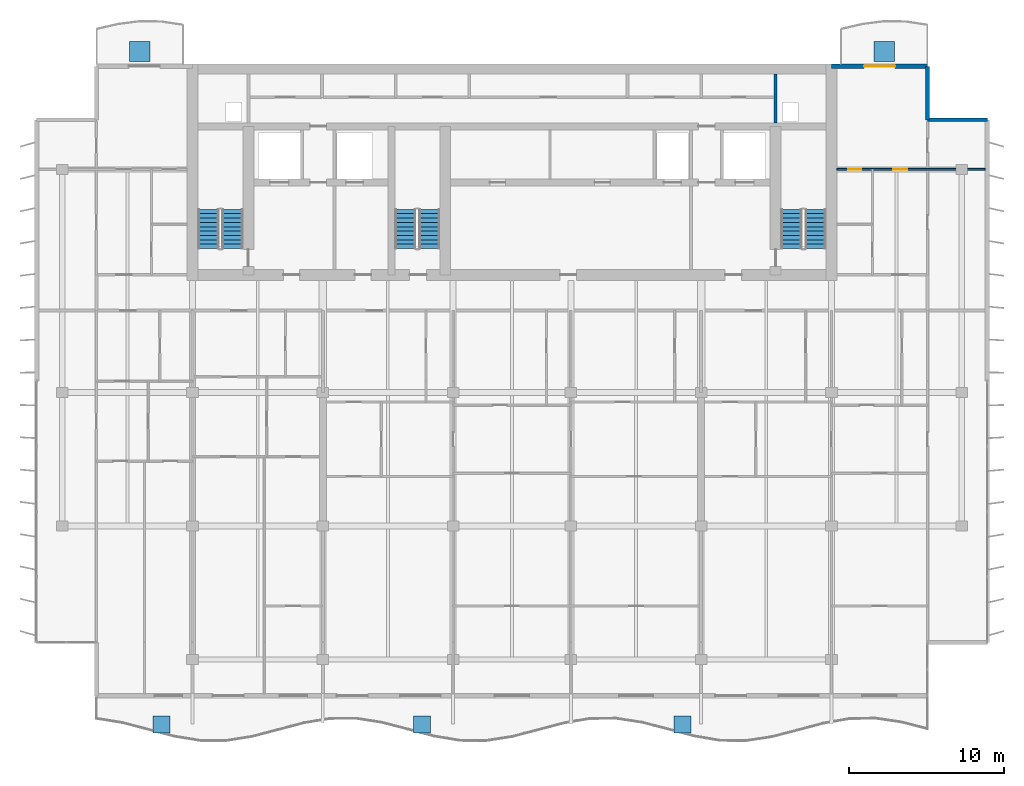
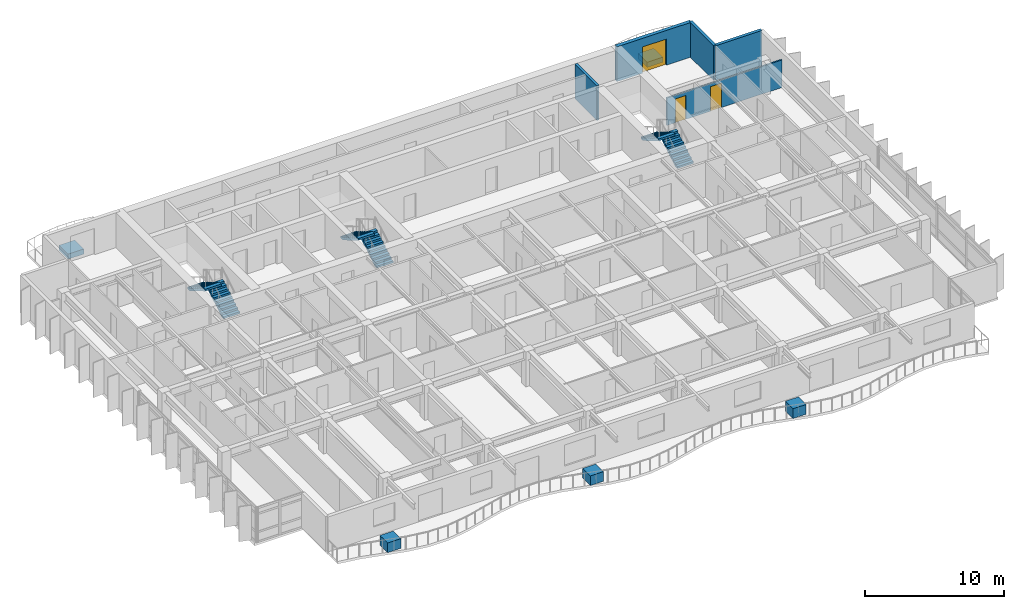
# One storey, part 11 of 16: 6 stair flights, 5 discrete accessories, 5 walls, 3 doors, 3 openings, 3 elements without a shape of their own.
"""IFC4 building model written with IfcOpenShell, lengths in metres."""

from ifc_helpers import new_model, si_unit, direction, frame, frame_2d, origin, origin_2d, place, context, subcontext, project, spatial, polyline, rectangle, outline, extrude, material, layer, layer_set, type_object, element, fill, aggregate, save


model = new_model("IFC4")

# Units and contexts
model_context = context("Model", 3, precision=1e-05, world=origin(), true_north=direction((0.0, 1.0)))
body_context = subcontext(model_context, "Body", "Model", "MODEL_VIEW")
ifc_project = project(units=[si_unit("LENGTHUNIT", "METRE"), si_unit("AREAUNIT", "SQUARE_METRE"), si_unit("VOLUMEUNIT", "CUBIC_METRE"), si_unit("PLANEANGLEUNIT", "RADIAN"), si_unit("MASSUNIT", "GRAM", prefix="KILO")], contexts=[model_context])

# Site, building, storey
site_placement = place(None, origin())
site = spatial("IfcSite", under=ifc_project, at=site_placement, CompositionType="ELEMENT")
building_placement = place(site_placement, origin())
building = spatial("IfcBuilding", under=site, at=building_placement, Name="Caelmar Bay Residences", CompositionType="ELEMENT")
storey_placement = place(building_placement, frame((0.0, 0.0, 252.89990234375)))
storey = spatial("IfcBuildingStorey", under=building, at=storey_placement, Name="L71", CompositionType="ELEMENT", Elevation=252.89990234375)

# Walls
ifc_material_1 = material(Name="Precast concrete f'c 40 MPa (6,000 psi)", Category="concrete")
ifc_layer_1 = layer(ifc_material_1, 0.25)
ifc_layer_set_1 = layer_set([ifc_layer_1], Name="Precast concrete f'c 40 MPa (6,000 psi)")
wall_type_1 = type_object("IfcWallType", Name="W-EXT-250", PredefinedType="ELEMENTEDWALL", material=ifc_layer_set_1)
wall_1_placement = place(storey_placement, frame((65.699951171875, 50.449951171875, 0.0), z_axis=(0.0, 0.0, 1.0), x_axis=(0.0, -1.0, 0.0)))
element("IfcWall", 1, at=wall_1_placement, inside=storey, type_object=wall_type_1, Name="L71 NNE-V Notch Wall", PredefinedType="ELEMENTEDWALL", context=body_context, shape_type="SweptSolid", body=[
    extrude(rectangle(XDim=3.449951171875, YDim=0.25, at=frame_2d((1.72509765625, 0.0))), origin(), (0.0, 0.0, 1.0), 3.050048828125),
])
wall_2_placement = place(storey_placement, frame((65.699951171875, 47.0, 0.0), z_axis=(0.0, 0.0, 1.0), x_axis=(1.0, 0.0, 0.0)))
element("IfcWall", 2, at=wall_2_placement, inside=storey, type_object=wall_type_1, Name="L71 NNE-H Notch Wall", PredefinedType="ELEMENTEDWALL", context=body_context, shape_type="SweptSolid", body=[
    extrude(rectangle(XDim=3.85009765625, YDim=0.25, at=frame_2d((1.925048828125, 0.0))), origin(), (0.0, 0.0, 1.0), 3.050048828125),
])

# Wall, opening, door
ifc_layer_2 = layer(ifc_material_1, 0.300048828125)
ifc_layer_set_2 = layer_set([ifc_layer_2], Name="Precast concrete f'c 40 MPa (6,000 psi)")
wall_type_2 = type_object("IfcWallType", Name="W-EXT-300", PredefinedType="STANDARD", material=ifc_layer_set_2)
wall_3_placement = place(storey_placement, frame((59.5, 50.449951171875, 0.0), z_axis=(0.0, 0.0, 1.0), x_axis=(1.0, 0.0, 0.0)))
wall_3 = element("IfcWall", 3, at=wall_3_placement, inside=storey, type_object=wall_type_2, Name="L71 North-East Wing Exterior Wall", PredefinedType="STANDARD", context=body_context, shape_type="SweptSolid", body=[
    extrude(rectangle(XDim=6.199951171875, YDim=0.300048828125, at=frame_2d((3.10009765625, 0.0))), origin(), (0.0, 0.0, 1.0), 3.050048828125),
])
opening_1_placement = place(wall_3_placement, frame((2.10009765625, 0.0, 0.0)))
opening_1 = element("IfcOpeningElement", 4, at=opening_1_placement, cuts=wall_3, Name="Opening L71-BDNE", PredefinedType="OPENING", context=body_context, shape_type="SweptSolid", body=[
    extrude(rectangle(XDim=2.0, YDim=2.300048828125, at=frame_2d((1.0, 1.14990234375))), frame((0.0, 0.159912109375, 0.0), z_axis=(0.0, -1.0, 0.0), x_axis=(1.0, 0.0, 0.0)), (0.0, 0.0, 1.0), 0.320068359375),
])
ifc_material_2 = material(Name="Anodised bronze thermally broken sliding glass door", Category="glass")
ifc_layer_3 = layer(ifc_material_2, 0.050048828125)
ifc_layer_set_3 = layer_set([ifc_layer_3], Name="Anodised bronze thermally broken sliding glass door")
door_type_1 = type_object("IfcDoorType", Name="D-BAL-2000", OperationType="DOUBLE_DOOR_SLIDING", PredefinedType="DOOR", material=ifc_layer_set_3)
door_1_placement = place(opening_1_placement, origin())
door_1 = element("IfcDoor", 5, at=door_1_placement, inside=storey, type_object=door_type_1, Name="L71 North-East Balcony Door", OperationType="DOUBLE_DOOR_SLIDING", OverallHeight=2.300048828125, OverallWidth=2.0, PredefinedType="DOOR", context=body_context, shape_type="SweptSolid", body=[
    extrude(rectangle(XDim=2.0, YDim=2.300048828125, at=frame_2d((1.0, 1.14990234375))), frame((0.0, 0.02490234375, 0.0), z_axis=(0.0, -1.0, 0.0), x_axis=(1.0, 0.0, 0.0)), (0.0, 0.0, 1.0), 0.050048828125),
])
fill(opening_1, door_1)

# Wall
ifc_material_3 = material(Name="Fire-rated masonry and gypsum shaftliner assembly 200 mm", Category="masonry")
ifc_layer_4 = layer(ifc_material_3, 0.199951171875)
ifc_layer_set_4 = layer_set([ifc_layer_4], Name="Fire-rated masonry and gypsum shaftliner assembly 200 mm")
wall_type_3 = type_object("IfcWallType", Name="W-FSAE-200", PredefinedType="PARTITIONING", material=ifc_layer_set_4)
wall_4_placement = place(storey_placement, frame((55.89990234375, 46.794921875, 0.0), z_axis=(0.0, 0.0, 1.0), x_axis=(0.0, 1.0, 0.0)))
element("IfcWall", 6, at=wall_4_placement, inside=storey, type_object=wall_type_3, Name="L71 Partition Wall V054", PredefinedType="PARTITIONING", context=body_context, shape_type="SweptSolid", body=[
    extrude(rectangle(XDim=3.16015625, YDim=0.199951171875, at=frame_2d((1.580078125, 0.0))), origin(), (0.0, 0.0, 1.0), 3.050048828125),
])

# Wall, openings, doors
ifc_material_4 = material(Name="Acoustic metal-stud gypsum partition 120 mm")
ifc_layer_5 = layer(ifc_material_4, 0.1201171875)
ifc_layer_set_5 = layer_set([ifc_layer_5], Name="Acoustic metal-stud gypsum partition 120 mm")
wall_type_4 = type_object("IfcWallType", Name="W-PRT-120", PredefinedType="PARTITIONING", material=ifc_layer_set_5)
wall_5_placement = place(storey_placement, frame((59.844970703125, 43.800048828125, 0.0), z_axis=(0.0, 0.0, 1.0), x_axis=(1.0, 0.0, 0.0)))
wall_5 = element("IfcWall", 7, at=wall_5_placement, inside=storey, type_object=wall_type_4, Name="L71 Partition Wall H093", PredefinedType="PARTITIONING", context=body_context, shape_type="SweptSolid", body=[
    extrude(rectangle(XDim=9.56005859375, YDim=0.1201171875, at=frame_2d((4.780029296875, 0.0))), origin(), (0.0, 0.0, 1.0), 2.418212890625),
])
opening_2_placement = place(wall_5_placement, frame((3.6298828125, 0.0, 0.0)))
opening_2 = element("IfcOpeningElement", 8, at=opening_2_placement, cuts=wall_5, Name="Opening D-L71-171", PredefinedType="OPENING", context=body_context, shape_type="SweptSolid", body=[
    extrude(rectangle(XDim=0.89990234375, YDim=2.14990234375, at=frame_2d((0.449951171875, 1.074951171875))), frame((0.0, 0.070068359375, 0.0), z_axis=(0.0, -1.0, 0.0), x_axis=(1.0, 0.0, 0.0)), (0.0, 0.0, 1.0), 0.14013671875),
])
opening_3_placement = place(wall_5_placement, frame((0.7275390625, 0.0, 0.0)))
opening_3 = element("IfcOpeningElement", 9, at=opening_3_placement, cuts=wall_5, Name="Opening D-L71-173", PredefinedType="OPENING", context=body_context, shape_type="SweptSolid", body=[
    extrude(rectangle(XDim=0.85009765625, YDim=2.10009765625, at=frame_2d((0.425048828125, 1.050048828125))), frame((0.0, 0.070068359375, 0.0), z_axis=(0.0, -1.0, 0.0), x_axis=(1.0, 0.0, 0.0)), (0.0, 0.0, 1.0), 0.14013671875),
])
ifc_material_5 = material(Name="Solid walnut timber interior door leaf and frame", Category="wood")
ifc_layer_6 = layer(ifc_material_5, 0.050048828125)
ifc_layer_set_6 = layer_set([ifc_layer_6], Name="Solid walnut timber interior door leaf and frame")
door_type_2 = type_object("IfcDoorType", Name="D-BATH-850", OperationType="NOTDEFINED", PredefinedType="DOOR", material=ifc_layer_set_6)
door_2_placement = place(opening_3_placement, origin())
door_2 = element("IfcDoor", 10, at=door_2_placement, inside=storey, type_object=door_type_2, Name="L71 Residence EA Bathroom Door", OperationType="SINGLE_SWING_RIGHT", OverallHeight=2.10009765625, OverallWidth=0.85009765625, PredefinedType="DOOR", context=body_context, shape_type="SweptSolid", body=[
    extrude(rectangle(XDim=0.85009765625, YDim=2.10009765625, at=frame_2d((0.425048828125, 1.050048828125))), frame((0.0, 0.02490234375, 0.0), z_axis=(0.0, -1.0, 0.0), x_axis=(1.0, 0.0, 0.0)), (0.0, 0.0, 1.0), 0.050048828125),
])
fill(opening_3, door_2)
ifc_layer_7 = layer(ifc_material_5, 0.050048828125)
ifc_layer_set_7 = layer_set([ifc_layer_7], Name="Solid walnut timber interior door leaf and frame")
door_type_3 = type_object("IfcDoorType", Name="D-ROOM-900", OperationType="NOTDEFINED", PredefinedType="DOOR", material=ifc_layer_set_7)
door_3_placement = place(opening_2_placement, origin())
door_3 = element("IfcDoor", 11, at=door_3_placement, inside=storey, type_object=door_type_3, Name="L71 Residence EA Studio Living and Sleeping Room Door", OperationType="SINGLE_SWING_RIGHT", OverallHeight=2.14990234375, OverallWidth=0.89990234375, PredefinedType="DOOR", context=body_context, shape_type="SweptSolid", body=[
    extrude(rectangle(XDim=0.89990234375, YDim=2.14990234375, at=frame_2d((0.449951171875, 1.074951171875))), frame((0.0, 0.02490234375, 0.0), z_axis=(0.0, -1.0, 0.0), x_axis=(1.0, 0.0, 0.0)), (0.0, 0.0, 1.0), 0.050048828125),
])
fill(opening_2, door_3)

# Stair, stair flights
ifc_material_6 = material(Name="Concrete f'c 40 MPa (6,000 psi)", Category="concrete")
stair_type = type_object("IfcStairType", Name="ST-TYP-165", PredefinedType="HALF_TURN_STAIR", material=ifc_material_6)
stair_1_placement = place(storey_placement, origin())
stair_1 = element("IfcStair", 12, at=stair_1_placement, inside=storey, type_object=stair_type, Name="L71 West Smokeproof Exit Stair ST1", PredefinedType="HALF_TURN_STAIR")
stair_flight_type = type_object("IfcStairFlightType", Name="STF-1350", PredefinedType="STRAIGHT", material=ifc_material_6)
stair_flight_1_placement = place(storey_placement, frame((20.875, 38.699951171875, 0.0), z_axis=(0.0, 0.0, 1.0), x_axis=(0.0, 1.0, 0.0)))
stair_flight_1 = element("IfcStairFlight", 13, at=stair_flight_1_placement, type_object=stair_flight_type, Name="ST1 flight 1", NumberOfRisers=10, NumberOfTreads=9, PredefinedType="STRAIGHT", RiserHeight=0.165, TreadLength=0.28, context=body_context, shape_type="SweptSolid", body=[
    extrude(outline(polyline([(0.0, 0.0), (0.0, 0.1650390625), (0.280029296875, 0.1650390625), (0.280029296875, 0.330078125), (0.56005859375, 0.330078125), (0.56005859375, 0.4951171875), (0.840087890625, 0.4951171875), (0.840087890625, 0.659912109375), (1.1201171875, 0.659912109375), (1.1201171875, 0.824951171875), (1.39990234375, 0.824951171875), (1.39990234375, 0.989990234375), (1.679931640625, 0.989990234375), (1.679931640625, 1.155029296875), (1.9599609375, 1.155029296875), (1.9599609375, 1.320068359375), (2.239990234375, 1.320068359375), (2.239990234375, 1.485107421875), (2.52001953125, 1.485107421875), (2.52001953125, 1.64990234375), (2.52001953125, 1.31103515625), (0.295166015625, 0.0), (0.0, 0.0)])), frame((0.0, 0.675048828125, 0.0), z_axis=(0.0, -1.0, 0.0), x_axis=(1.0, 0.0, 0.0)), (0.0, 0.0, 1.0), 1.35009765625),
])
stair_flight_2_placement = place(storey_placement, frame((19.324951171875, 41.219970703125, 1.650146484375), z_axis=(0.0, 0.0, 1.0), x_axis=(0.0, -1.0, 0.0)))
stair_flight_2 = element("IfcStairFlight", 14, at=stair_flight_2_placement, type_object=stair_flight_type, Name="ST1 flight 2", NumberOfRisers=10, NumberOfTreads=9, PredefinedType="STRAIGHT", RiserHeight=0.165, TreadLength=0.28, context=body_context, shape_type="SweptSolid", body=[
    extrude(outline(polyline([(0.0, 0.0), (0.0, 0.1650390625), (0.280029296875, 0.1650390625), (0.280029296875, 0.330078125), (0.56005859375, 0.330078125), (0.56005859375, 0.4951171875), (0.840087890625, 0.4951171875), (0.840087890625, 0.659912109375), (1.1201171875, 0.659912109375), (1.1201171875, 0.824951171875), (1.39990234375, 0.824951171875), (1.39990234375, 0.989990234375), (1.679931640625, 0.989990234375), (1.679931640625, 1.155029296875), (1.9599609375, 1.155029296875), (1.9599609375, 1.320068359375), (2.239990234375, 1.320068359375), (2.239990234375, 1.485107421875), (2.52001953125, 1.485107421875), (2.52001953125, 1.64990234375), (2.52001953125, 1.31103515625), (0.295166015625, 0.0), (0.0, 0.0)])), frame((0.0, 0.675048828125, 0.0), z_axis=(0.0, -1.0, 0.0), x_axis=(1.0, 0.0, 0.0)), (0.0, 0.0, 1.0), 1.35009765625),
])
aggregate(stair_1, [stair_flight_1, stair_flight_2])

stair_2_placement = place(storey_placement, origin())
stair_2 = element("IfcStair", 15, at=stair_2_placement, inside=storey, type_object=stair_type, Name="L71 East Smokeproof Exit Stair ST2", PredefinedType="HALF_TURN_STAIR")
stair_flight_3_placement = place(storey_placement, frame((58.47509765625, 38.699951171875, 0.0), z_axis=(0.0, 0.0, 1.0), x_axis=(0.0, 1.0, 0.0)))
stair_flight_3 = element("IfcStairFlight", 16, at=stair_flight_3_placement, type_object=stair_flight_type, Name="ST2 flight 1", NumberOfRisers=10, NumberOfTreads=9, PredefinedType="STRAIGHT", RiserHeight=0.165, TreadLength=0.28, context=body_context, shape_type="SweptSolid", body=[
    extrude(outline(polyline([(0.0, 0.0), (0.0, 0.1650390625), (0.280029296875, 0.1650390625), (0.280029296875, 0.330078125), (0.56005859375, 0.330078125), (0.56005859375, 0.4951171875), (0.840087890625, 0.4951171875), (0.840087890625, 0.659912109375), (1.1201171875, 0.659912109375), (1.1201171875, 0.824951171875), (1.39990234375, 0.824951171875), (1.39990234375, 0.989990234375), (1.679931640625, 0.989990234375), (1.679931640625, 1.155029296875), (1.9599609375, 1.155029296875), (1.9599609375, 1.320068359375), (2.239990234375, 1.320068359375), (2.239990234375, 1.485107421875), (2.52001953125, 1.485107421875), (2.52001953125, 1.64990234375), (2.52001953125, 1.31103515625), (0.295166015625, 0.0), (0.0, 0.0)])), frame((0.0, 0.675048828125, 0.0), z_axis=(0.0, -1.0, 0.0), x_axis=(1.0, 0.0, 0.0)), (0.0, 0.0, 1.0), 1.35009765625),
])
stair_flight_4_placement = place(storey_placement, frame((56.925048828125, 41.219970703125, 1.650146484375), z_axis=(0.0, 0.0, 1.0), x_axis=(0.0, -1.0, 0.0)))
stair_flight_4 = element("IfcStairFlight", 17, at=stair_flight_4_placement, type_object=stair_flight_type, Name="ST2 flight 2", NumberOfRisers=10, NumberOfTreads=9, PredefinedType="STRAIGHT", RiserHeight=0.165, TreadLength=0.28, context=body_context, shape_type="SweptSolid", body=[
    extrude(outline(polyline([(0.0, 0.0), (0.0, 0.1650390625), (0.280029296875, 0.1650390625), (0.280029296875, 0.330078125), (0.56005859375, 0.330078125), (0.56005859375, 0.4951171875), (0.840087890625, 0.4951171875), (0.840087890625, 0.659912109375), (1.1201171875, 0.659912109375), (1.1201171875, 0.824951171875), (1.39990234375, 0.824951171875), (1.39990234375, 0.989990234375), (1.679931640625, 0.989990234375), (1.679931640625, 1.155029296875), (1.9599609375, 1.155029296875), (1.9599609375, 1.320068359375), (2.239990234375, 1.320068359375), (2.239990234375, 1.485107421875), (2.52001953125, 1.485107421875), (2.52001953125, 1.64990234375), (2.52001953125, 1.31103515625), (0.295166015625, 0.0), (0.0, 0.0)])), frame((0.0, 0.675048828125, 0.0), z_axis=(0.0, -1.0, 0.0), x_axis=(1.0, 0.0, 0.0)), (0.0, 0.0, 1.0), 1.35009765625),
])
aggregate(stair_2, [stair_flight_3, stair_flight_4])

stair_3_placement = place(storey_placement, origin())
stair_3 = element("IfcStair", 18, at=stair_3_placement, inside=storey, type_object=stair_type, Name="L71 Central Smokeproof Exit Stair ST3", PredefinedType="HALF_TURN_STAIR")
stair_flight_5_placement = place(storey_placement, frame((33.574951171875, 38.699951171875, 0.0), z_axis=(0.0, 0.0, 1.0), x_axis=(0.0, 1.0, 0.0)))
stair_flight_5 = element("IfcStairFlight", 19, at=stair_flight_5_placement, type_object=stair_flight_type, Name="ST3 flight 1", NumberOfRisers=10, NumberOfTreads=9, PredefinedType="STRAIGHT", RiserHeight=0.165, TreadLength=0.28, context=body_context, shape_type="SweptSolid", body=[
    extrude(outline(polyline([(0.0, 0.0), (0.0, 0.1650390625), (0.280029296875, 0.1650390625), (0.280029296875, 0.330078125), (0.56005859375, 0.330078125), (0.56005859375, 0.4951171875), (0.840087890625, 0.4951171875), (0.840087890625, 0.659912109375), (1.1201171875, 0.659912109375), (1.1201171875, 0.824951171875), (1.39990234375, 0.824951171875), (1.39990234375, 0.989990234375), (1.679931640625, 0.989990234375), (1.679931640625, 1.155029296875), (1.9599609375, 1.155029296875), (1.9599609375, 1.320068359375), (2.239990234375, 1.320068359375), (2.239990234375, 1.485107421875), (2.52001953125, 1.485107421875), (2.52001953125, 1.64990234375), (2.52001953125, 1.31103515625), (0.295166015625, 0.0), (0.0, 0.0)])), frame((0.0, 0.675048828125, 0.0), z_axis=(0.0, -1.0, 0.0), x_axis=(1.0, 0.0, 0.0)), (0.0, 0.0, 1.0), 1.35009765625),
])
stair_flight_6_placement = place(storey_placement, frame((32.02490234375, 41.219970703125, 1.650146484375), z_axis=(0.0, 0.0, 1.0), x_axis=(0.0, -1.0, 0.0)))
stair_flight_6 = element("IfcStairFlight", 20, at=stair_flight_6_placement, type_object=stair_flight_type, Name="ST3 flight 2", NumberOfRisers=10, NumberOfTreads=9, PredefinedType="STRAIGHT", RiserHeight=0.165, TreadLength=0.28, context=body_context, shape_type="SweptSolid", body=[
    extrude(outline(polyline([(0.0, 0.0), (0.0, 0.1650390625), (0.280029296875, 0.1650390625), (0.280029296875, 0.330078125), (0.56005859375, 0.330078125), (0.56005859375, 0.4951171875), (0.840087890625, 0.4951171875), (0.840087890625, 0.659912109375), (1.1201171875, 0.659912109375), (1.1201171875, 0.824951171875), (1.39990234375, 0.824951171875), (1.39990234375, 0.989990234375), (1.679931640625, 0.989990234375), (1.679931640625, 1.155029296875), (1.9599609375, 1.155029296875), (1.9599609375, 1.320068359375), (2.239990234375, 1.320068359375), (2.239990234375, 1.485107421875), (2.52001953125, 1.485107421875), (2.52001953125, 1.64990234375), (2.52001953125, 1.31103515625), (0.295166015625, 0.0), (0.0, 0.0)])), frame((0.0, 0.675048828125, 0.0), z_axis=(0.0, -1.0, 0.0), x_axis=(1.0, 0.0, 0.0)), (0.0, 0.0, 1.0), 1.35009765625),
])
aggregate(stair_3, [stair_flight_5, stair_flight_6])

# Discrete accessories
ifc_material_7 = material(Name="Architectural bronze GRC planter trough with volcanic-lapilli substrate")
discrete_accessory_type_1 = type_object("IfcDiscreteAccessoryType", Name="ACC-PLANTER-1100", PredefinedType="USERDEFINED", material=ifc_material_7)
for number, where, z_axis, x_axis, name in (
    (21, (16.300048828125, 8.018310546875, 0.0), (0.0, 0.0, 1.0), (1.0, 0.0, 0.0), "L71 Balcony Structural Tree Planter 1"),
    (22, (33.10009765625, 8.018310546875, 0.0), (0.0, 0.0, 1.0), (1.0, 0.0, 0.0), "L71 Balcony Structural Tree Planter 2"),
    (23, (49.89990234375, 8.018310546875, 0.0), (0.0, 0.0, 1.0), (1.0, 0.0, 0.0), "L71 Balcony Structural Tree Planter 3"),
):
    element("IfcDiscreteAccessory", number, at=place(storey_placement, frame(where, z_axis=z_axis, x_axis=x_axis)), inside=storey, type_object=discrete_accessory_type_1, Name=name, ObjectType="PLANTER", PredefinedType="USERDEFINED", context=body_context, shape_type="SweptSolid", body=[
        extrude(rectangle(XDim=1.10009765625, YDim=1.10009765625, at=origin_2d()), origin(), (0.0, 0.0, 1.0), 0.85009765625),
    ])
discrete_accessory_type_2 = type_object("IfcDiscreteAccessoryType", Name="STR-PLANTER-KERB-450", PredefinedType="USERDEFINED", material=ifc_material_1)
for number, where, z_axis, x_axis, name in (
    (24, (14.89990234375, 51.39990234375, 0.0), (0.0, 0.0, 1.0), (1.0, 0.0, 0.0), "L71 north_west Structural Tree Planter Kerb"),
    (25, (62.89990234375, 51.39990234375, 0.0), (0.0, 0.0, 1.0), (1.0, 0.0, 0.0), "L71 north_east Structural Tree Planter Kerb"),
):
    element("IfcDiscreteAccessory", number, at=place(storey_placement, frame(where, z_axis=z_axis, x_axis=x_axis)), inside=storey, type_object=discrete_accessory_type_2, Name=name, ObjectType="PLANTER", PredefinedType="USERDEFINED", context=body_context, shape_type="SweptSolid", body=[
        extrude(rectangle(XDim=1.300048828125, YDim=1.300048828125, at=origin_2d()), origin(), (0.0, 0.0, 1.0), 0.449951171875),
    ])

save(model, "model.ifc")
